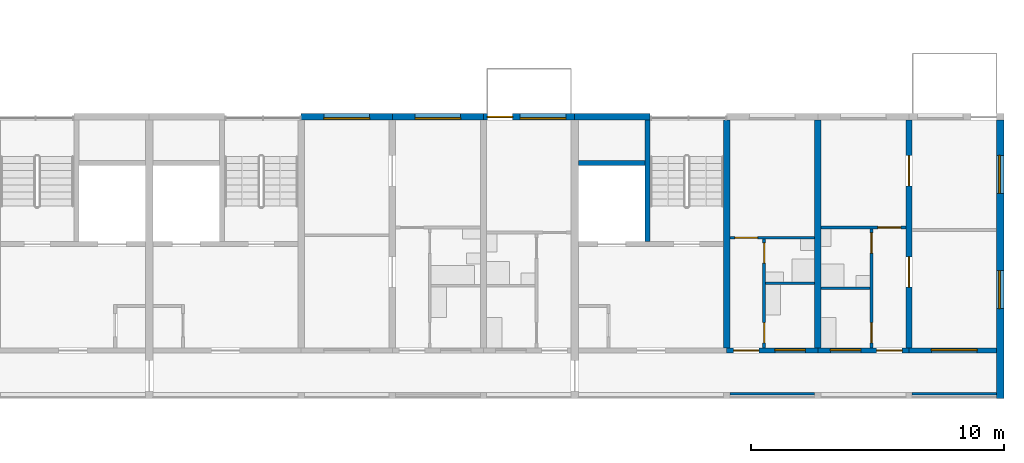
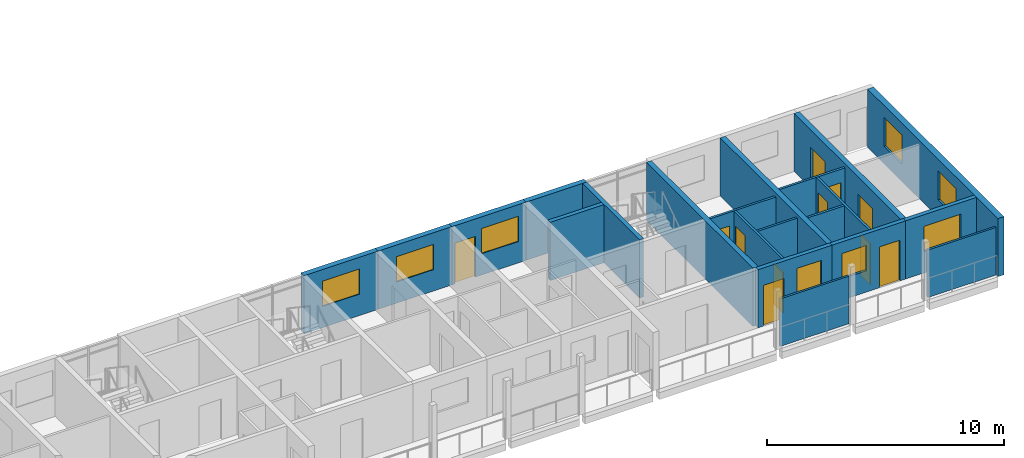
# One storey, part 56 of 100: 21 walls, 11 doors, 8 windows, 19 openings.
"""IFC4 building model written with IfcOpenShell, lengths in metres."""

from ifc_helpers import new_model, si_unit, direction, frame, frame_2d, origin, place, context, subcontext, project, spatial, rectangle, extrude, material, layer, layer_set, type_object, element, fill, save


model = new_model("IFC4")

# Units and contexts
model_context = context("Model", 3, precision=1e-05, world=origin(), true_north=direction((0.0, 1.0)))
body_context = subcontext(model_context, "Body", "Model", "MODEL_VIEW")
ifc_project = project(units=[si_unit("LENGTHUNIT", "METRE"), si_unit("AREAUNIT", "SQUARE_METRE"), si_unit("VOLUMEUNIT", "CUBIC_METRE"), si_unit("PLANEANGLEUNIT", "RADIAN"), si_unit("MASSUNIT", "GRAM", prefix="KILO")], contexts=[model_context])

# Site, building, storey
site_placement = place(None, origin())
site = spatial("IfcSite", under=ifc_project, at=site_placement, CompositionType="ELEMENT")
building_placement = place(site_placement, origin())
building = spatial("IfcBuilding", under=site, at=building_placement, Name="Ridgestep Commons", CompositionType="ELEMENT")
storey_placement = place(building_placement, frame((0.0, 0.0, 9.0)))
storey = spatial("IfcBuildingStorey", under=building, at=storey_placement, Name="L03", CompositionType="ELEMENT", Elevation=9.0)

# Walls
ifc_material_1 = material(Name="Concrete C30/37", Category="concrete")
ifc_layer_1 = layer(ifc_material_1, 0.25)
ifc_layer_set_1 = layer_set([ifc_layer_1], Name="Core cross wall 250")
wall_type_1 = type_object("IfcWallType", Name="Core cross wall 250", PredefinedType="SHEAR", material=ifc_layer_set_1)
wall_1_placement = place(storey_placement, frame((236.800048828125, 13.75, 0.0), z_axis=(0.0, 0.0, 1.0), x_axis=(0.0, 1.0, 0.0)))
element("IfcWall", 1, at=wall_1_placement, inside=storey, type_object=wall_type_1, Name="Cross wall D-03-2368", PredefinedType="SHEAR", context=body_context, shape_type="SweptSolid", body=[
    extrude(rectangle(XDim=9.0, YDim=0.25, at=frame_2d((4.5, 0.0))), origin(), (0.0, 0.0, 1.0), 3.0),
])
ifc_material_2 = material(Name="Concrete C30/37", Category="concrete")
ifc_layer_2 = layer(ifc_material_2, 0.199951171875)
ifc_layer_set_2 = layer_set([ifc_layer_2], Name="Core wall 200")
wall_type_2 = type_object("IfcWallType", Name="Core wall 200", PredefinedType="SHEAR", material=ifc_layer_set_2)
wall_2_placement = place(storey_placement, frame((233.675048828125, 17.949951171875, 0.0), z_axis=(0.0, 0.0, 1.0), x_axis=(0.0, 1.0, 0.0)))
element("IfcWall", 2, at=wall_2_placement, inside=storey, type_object=wall_type_2, Name="Core stair wall D6C L03", PredefinedType="SHEAR", context=body_context, shape_type="SweptSolid", body=[
    extrude(rectangle(XDim=4.800048828125, YDim=0.199951171875, at=frame_2d((2.39990234375, 0.0))), origin(), (0.0, 0.0, 1.0), 3.0),
])
wall_3_placement = place(storey_placement, frame((230.949951171875, 21.050048828125, 0.0), z_axis=(0.0, 0.0, 1.0), x_axis=(1.0, 0.0, 0.0)))
element("IfcWall", 3, at=wall_3_placement, inside=storey, type_object=wall_type_2, Name="Core duct wall D6C L03", PredefinedType="SHEAR", context=body_context, shape_type="SweptSolid", body=[
    extrude(rectangle(XDim=2.625, YDim=0.199951171875, at=frame_2d((1.3125, 0.0))), origin(), (0.0, 0.0, 1.0), 3.0),
])
ifc_material_3 = material(Name="Precast concrete C40/50", Category="concrete")
ifc_layer_3 = layer(ifc_material_3, 0.25)
ifc_layer_set_3 = layer_set([ifc_layer_3], Name="Cross wall 250")
wall_type_3 = type_object("IfcWallType", Name="Cross wall 250", PredefinedType="SHEAR", material=ifc_layer_set_3)
wall_4_placement = place(storey_placement, frame((240.39990234375, 13.75, 0.0), z_axis=(0.0, 0.0, 1.0), x_axis=(0.0, 1.0, 0.0)))
element("IfcWall", 4, at=wall_4_placement, inside=storey, type_object=wall_type_3, Name="Cross wall D-03-2404", PredefinedType="SHEAR", context=body_context, shape_type="SweptSolid", body=[
    extrude(rectangle(XDim=9.0, YDim=0.25, at=frame_2d((4.5, 0.0))), origin(), (0.0, 0.0, 1.0), 3.0),
])

# Wall, openings, doors
wall_5_placement = place(storey_placement, frame((244.0, 13.75, 0.0), z_axis=(0.0, 0.0, 1.0), x_axis=(0.0, 1.0, 0.0)))
wall_5 = element("IfcWall", 5, at=wall_5_placement, inside=storey, type_object=wall_type_3, Name="Cross wall D-03-2440", PredefinedType="SHEAR", context=body_context, shape_type="SweptSolid", body=[
    extrude(rectangle(XDim=9.0, YDim=0.25, at=frame_2d((4.5, 0.0))), origin(), (0.0, 0.0, 1.0), 3.0),
])
opening_1_placement = place(wall_5_placement, frame((2.39990234375, 0.0, 0.0)))
opening_1 = element("IfcOpeningElement", 6, at=opening_1_placement, cuts=wall_5, Name="Opening D6-03a/5", PredefinedType="OPENING", context=body_context, shape_type="SweptSolid", body=[
    extrude(rectangle(XDim=1.199951171875, YDim=2.10009765625, at=frame_2d((0.60009765625, 1.050048828125))), frame((0.0, 0.135009765625, 0.0), z_axis=(0.0, -1.0, 0.0), x_axis=(1.0, 0.0, 0.0)), (0.0, 0.0, 1.0), 0.27001953125),
])
opening_2_placement = place(wall_5_placement, frame((6.39990234375, 0.0, 0.0)))
opening_2 = element("IfcOpeningElement", 7, at=opening_2_placement, cuts=wall_5, Name="Opening D6-03a/6", PredefinedType="OPENING", context=body_context, shape_type="SweptSolid", body=[
    extrude(rectangle(XDim=1.199951171875, YDim=2.10009765625, at=frame_2d((0.60009765625, 1.050048828125))), frame((0.0, 0.135009765625, 0.0), z_axis=(0.0, -1.0, 0.0), x_axis=(1.0, 0.0, 0.0)), (0.0, 0.0, 1.0), 0.27001953125),
])
ifc_material_4 = material(Name="Timber door leaf", Category="wood")
door_type_1 = type_object("IfcDoorType", Name="Double door 1200 x 2100", OperationType="DOUBLE_DOOR_SINGLE_SWING", PredefinedType="DOOR", material=ifc_material_4)
door_1_placement = place(opening_1_placement, origin())
door_1 = element("IfcDoor", 8, at=door_1_placement, inside=storey, type_object=door_type_1, Name="Double door D6-03a/5", OperationType="DOUBLE_DOOR_SINGLE_SWING", OverallHeight=2.10009765625, OverallWidth=1.199951171875, PredefinedType="DOOR", context=body_context, shape_type="SweptSolid", body=[
    extrude(rectangle(XDim=1.199951171875, YDim=2.10009765625, at=frame_2d((0.60009765625, 1.050048828125))), frame((0.0, 0.02490234375, 0.0), z_axis=(0.0, -1.0, 0.0), x_axis=(1.0, 0.0, 0.0)), (0.0, 0.0, 1.0), 0.050048828125),
])
fill(opening_1, door_1)
door_2_placement = place(opening_2_placement, origin())
door_2 = element("IfcDoor", 9, at=door_2_placement, inside=storey, type_object=door_type_1, Name="Double door D6-03a/6", OperationType="DOUBLE_DOOR_SINGLE_SWING", OverallHeight=2.10009765625, OverallWidth=1.199951171875, PredefinedType="DOOR", context=body_context, shape_type="SweptSolid", body=[
    extrude(rectangle(XDim=1.199951171875, YDim=2.10009765625, at=frame_2d((0.60009765625, 1.050048828125))), frame((0.0, 0.02490234375, 0.0), z_axis=(0.0, -1.0, 0.0), x_axis=(1.0, 0.0, 0.0)), (0.0, 0.0, 1.0), 0.050048828125),
])
fill(opening_2, door_2)

# Wall, openings, windows
ifc_material_5 = material(Name="Precast concrete C40/50", Category="concrete")
ifc_layer_4 = layer(ifc_material_5, 0.300048828125)
ifc_layer_set_4 = layer_set([ifc_layer_4], Name="Exposed division wall 300")
wall_type_4 = type_object("IfcWallType", Name="Exposed division wall 300", PredefinedType="SHEAR", material=ifc_layer_set_4)
wall_6_placement = place(storey_placement, frame((247.60009765625, 11.75, 0.0), z_axis=(0.0, 0.0, 1.0), x_axis=(0.0, 1.0, 0.0)))
wall_6 = element("IfcWall", 10, at=wall_6_placement, inside=storey, type_object=wall_type_4, Name="Cross wall D-03-2476", PredefinedType="SHEAR", context=body_context, shape_type="SweptSolid", body=[
    extrude(rectangle(XDim=11.0, YDim=0.300048828125, at=frame_2d((5.5, 0.0))), origin(), (0.0, 0.0, 1.0), 3.0),
])
opening_3_placement = place(wall_6_placement, frame((3.550048828125, 0.0, 0.89990234375)))
opening_3 = element("IfcOpeningElement", 11, at=opening_3_placement, cuts=wall_6, Name="Opening W16", PredefinedType="OPENING", context=body_context, shape_type="SweptSolid", body=[
    extrude(rectangle(XDim=1.5, YDim=1.5, at=frame_2d((0.75, 0.75))), frame((0.0, 0.159912109375, 0.0), z_axis=(0.0, -1.0, 0.0), x_axis=(1.0, 0.0, 0.0)), (0.0, 0.0, 1.0), 0.320068359375),
])
opening_4_placement = place(wall_6_placement, frame((8.10498046875, 0.0, 0.89990234375)))
opening_4 = element("IfcOpeningElement", 12, at=opening_4_placement, cuts=wall_6, Name="Opening W16", PredefinedType="OPENING", context=body_context, shape_type="SweptSolid", body=[
    extrude(rectangle(XDim=1.5, YDim=1.5, at=frame_2d((0.75, 0.75))), frame((0.0, 0.159912109375, 0.0), z_axis=(0.0, -1.0, 0.0), x_axis=(1.0, 0.0, 0.0)), (0.0, 0.0, 1.0), 0.320068359375),
])
ifc_material_6 = material(Name="Aluminium 6063-T6 and glass", Category="aluminium")
window_type_1 = type_object("IfcWindowType", Name="Flat window 1500 x 1500", PartitioningType="DOUBLE_PANEL_VERTICAL", PredefinedType="WINDOW", material=ifc_material_6)
window_1_placement = place(opening_3_placement, origin())
window_1 = element("IfcWindow", 13, at=window_1_placement, inside=storey, type_object=window_type_1, Name="Window D6-03a 5", OverallHeight=1.5, OverallWidth=1.5, PartitioningType="SINGLE_PANEL", PredefinedType="WINDOW", context=body_context, shape_type="SweptSolid", body=[
    extrude(rectangle(XDim=1.5, YDim=1.5, at=frame_2d((0.75, 0.75))), frame((0.0, 0.06005859375, 0.0), z_axis=(0.0, -1.0, 0.0), x_axis=(1.0, 0.0, 0.0)), (0.0, 0.0, 1.0), 0.06005859375),
])
fill(opening_3, window_1)
window_2_placement = place(opening_4_placement, origin())
window_2 = element("IfcWindow", 14, at=window_2_placement, inside=storey, type_object=window_type_1, Name="Window D6-03a 6", OverallHeight=1.5, OverallWidth=1.5, PartitioningType="SINGLE_PANEL", PredefinedType="WINDOW", context=body_context, shape_type="SweptSolid", body=[
    extrude(rectangle(XDim=1.5, YDim=1.5, at=frame_2d((0.75, 0.75))), frame((0.0, 0.06005859375, 0.0), z_axis=(0.0, -1.0, 0.0), x_axis=(1.0, 0.0, 0.0)), (0.0, 0.0, 1.0), 0.06005859375),
])
fill(opening_4, window_2)

# Wall, opening, window
ifc_material_7 = material(Name="Precast concrete C40/50", Category="concrete")
ifc_layer_5 = layer(ifc_material_7, 0.25)
ifc_layer_set_5 = layer_set([ifc_layer_5], Name="North facade panel 250")
wall_type_5 = type_object("IfcWallType", Name="North facade panel 250", PredefinedType="SOLIDWALL", material=ifc_layer_set_5)
wall_7_placement = place(storey_placement, frame((220.0, 22.875, 0.0), z_axis=(0.0, 0.0, 1.0), x_axis=(1.0, 0.0, 0.0)))
wall_7 = element("IfcWall", 15, at=wall_7_placement, inside=storey, type_object=wall_type_5, Name="North panel D5T3 L03", PredefinedType="SOLIDWALL", context=body_context, shape_type="SweptSolid", body=[
    extrude(rectangle(XDim=3.60009765625, YDim=0.25, at=frame_2d((1.800048828125, 0.0))), origin(), (0.0, 0.0, 1.0), 3.0),
])
opening_5_placement = place(wall_7_placement, frame((0.89990234375, 0.0, 1.10009765625)))
opening_5 = element("IfcOpeningElement", 16, at=opening_5_placement, cuts=wall_7, Name="Opening W18", PredefinedType="OPENING", context=body_context, shape_type="SweptSolid", body=[
    extrude(rectangle(XDim=1.800048828125, YDim=1.300048828125, at=frame_2d((0.89990234375, 0.64990234375))), frame((0.0, 0.135009765625, 0.0), z_axis=(0.0, -1.0, 0.0), x_axis=(1.0, 0.0, 0.0)), (0.0, 0.0, 1.0), 0.27001953125),
])
ifc_material_8 = material(Name="Aluminium 6063-T6 and glass", Category="aluminium")
window_type_2 = type_object("IfcWindowType", Name="Flat window 1800 x 1300", PartitioningType="DOUBLE_PANEL_VERTICAL", PredefinedType="WINDOW", material=ifc_material_8)
window_3_placement = place(opening_5_placement, origin())
window_3 = element("IfcWindow", 17, at=window_3_placement, inside=storey, type_object=window_type_2, Name="Window D5-03b 2", OverallHeight=1.300048828125, OverallWidth=1.800048828125, PartitioningType="SINGLE_PANEL", PredefinedType="WINDOW", context=body_context, shape_type="SweptSolid", body=[
    extrude(rectangle(XDim=1.800048828125, YDim=1.300048828125, at=frame_2d((0.89990234375, 0.64990234375))), frame((0.0, -0.02490234375, 0.0), z_axis=(0.0, -1.0, 0.0), x_axis=(1.0, 0.0, 0.0)), (0.0, 0.0, 1.0), 0.06005859375),
])
fill(opening_5, window_3)

wall_8_placement = place(storey_placement, frame((223.60009765625, 22.875, 0.0), z_axis=(0.0, 0.0, 1.0), x_axis=(1.0, 0.0, 0.0)))
wall_8 = element("IfcWall", 18, at=wall_8_placement, inside=storey, type_object=wall_type_5, Name="North panel D5T2 L03", PredefinedType="SOLIDWALL", context=body_context, shape_type="SweptSolid", body=[
    extrude(rectangle(XDim=3.599853515625, YDim=0.25, at=frame_2d((1.7998046875, 0.0))), origin(), (0.0, 0.0, 1.0), 3.0),
])
opening_6_placement = place(wall_8_placement, frame((0.89990234375, 0.0, 1.10009765625)))
opening_6 = element("IfcOpeningElement", 19, at=opening_6_placement, cuts=wall_8, Name="Opening W18", PredefinedType="OPENING", context=body_context, shape_type="SweptSolid", body=[
    extrude(rectangle(XDim=1.800048828125, YDim=1.300048828125, at=frame_2d((0.89990234375, 0.64990234375))), frame((0.0, 0.135009765625, 0.0), z_axis=(0.0, -1.0, 0.0), x_axis=(1.0, 0.0, 0.0)), (0.0, 0.0, 1.0), 0.27001953125),
])
window_4_placement = place(opening_6_placement, origin())
window_4 = element("IfcWindow", 20, at=window_4_placement, inside=storey, type_object=window_type_2, Name="Window D5-03b 4", OverallHeight=1.300048828125, OverallWidth=1.800048828125, PartitioningType="SINGLE_PANEL", PredefinedType="WINDOW", context=body_context, shape_type="SweptSolid", body=[
    extrude(rectangle(XDim=1.800048828125, YDim=1.300048828125, at=frame_2d((0.89990234375, 0.64990234375))), frame((0.0, -0.02490234375, 0.0), z_axis=(0.0, -1.0, 0.0), x_axis=(1.0, 0.0, 0.0)), (0.0, 0.0, 1.0), 0.06005859375),
])
fill(opening_6, window_4)

# Wall, openings, door, window
wall_9_placement = place(storey_placement, frame((227.199951171875, 22.875, 0.0), z_axis=(0.0, 0.0, 1.0), x_axis=(1.0, 0.0, 0.0)))
wall_9 = element("IfcWall", 21, at=wall_9_placement, inside=storey, type_object=wall_type_5, Name="North panel D5T1 L03", PredefinedType="SOLIDWALL", context=body_context, shape_type="SweptSolid", body=[
    extrude(rectangle(XDim=3.60009765625, YDim=0.25, at=frame_2d((1.800048828125, 0.0))), origin(), (0.0, 0.0, 1.0), 3.0),
])
opening_7_placement = place(wall_9_placement, frame((1.449951171875, 0.0, 1.10009765625)))
opening_7 = element("IfcOpeningElement", 22, at=opening_7_placement, cuts=wall_9, Name="Opening W18", PredefinedType="OPENING", context=body_context, shape_type="SweptSolid", body=[
    extrude(rectangle(XDim=1.800048828125, YDim=1.300048828125, at=frame_2d((0.89990234375, 0.64990234375))), frame((0.0, 0.135009765625, 0.0), z_axis=(0.0, -1.0, 0.0), x_axis=(1.0, 0.0, 0.0)), (0.0, 0.0, 1.0), 0.27001953125),
])
opening_8_placement = place(wall_9_placement, frame((0.14990234375, 0.0, 0.0)))
opening_8 = element("IfcOpeningElement", 23, at=opening_8_placement, cuts=wall_9, Name="Opening D5-03a/5", PredefinedType="OPENING", context=body_context, shape_type="SweptSolid", body=[
    extrude(rectangle(XDim=1.0, YDim=2.10009765625, at=frame_2d((0.5, 1.050048828125))), frame((0.0, 0.135009765625, 0.0), z_axis=(0.0, -1.0, 0.0), x_axis=(1.0, 0.0, 0.0)), (0.0, 0.0, 1.0), 0.27001953125),
])
ifc_material_9 = material(Name="Aluminium and glass", Category="aluminium")
door_type_2 = type_object("IfcDoorType", Name="Balcony door 1000 x 2100", OperationType="NOTDEFINED", PredefinedType="DOOR", material=ifc_material_9)
door_3_placement = place(opening_8_placement, origin())
door_3 = element("IfcDoor", 24, at=door_3_placement, inside=storey, type_object=door_type_2, Name="Balcony door D5-03a/5", OperationType="SINGLE_SWING_RIGHT", OverallHeight=2.10009765625, OverallWidth=1.0, PredefinedType="DOOR", context=body_context, shape_type="SweptSolid", body=[
    extrude(rectangle(XDim=1.0, YDim=2.10009765625, at=frame_2d((0.5, 1.050048828125))), frame((0.0, 0.02490234375, 0.0), z_axis=(0.0, -1.0, 0.0), x_axis=(1.0, 0.0, 0.0)), (0.0, 0.0, 1.0), 0.050048828125),
])
fill(opening_8, door_3)
window_5_placement = place(opening_7_placement, origin())
window_5 = element("IfcWindow", 25, at=window_5_placement, inside=storey, type_object=window_type_2, Name="Window D5-03a 2", OverallHeight=1.300048828125, OverallWidth=1.800048828125, PartitioningType="SINGLE_PANEL", PredefinedType="WINDOW", context=body_context, shape_type="SweptSolid", body=[
    extrude(rectangle(XDim=1.800048828125, YDim=1.300048828125, at=frame_2d((0.89990234375, 0.64990234375))), frame((0.0, -0.02490234375, 0.0), z_axis=(0.0, -1.0, 0.0), x_axis=(1.0, 0.0, 0.0)), (0.0, 0.0, 1.0), 0.06005859375),
])
fill(opening_7, window_5)

# Walls
wall_10_placement = place(storey_placement, frame((230.800048828125, 22.875, 0.0), z_axis=(0.0, 0.0, 1.0), x_axis=(1.0, 0.0, 0.0)))
element("IfcWall", 26, at=wall_10_placement, inside=storey, type_object=wall_type_5, Name="North panel D6C L03", PredefinedType="SOLIDWALL", context=body_context, shape_type="SweptSolid", body=[
    extrude(rectangle(XDim=2.974853515625, YDim=0.25, at=frame_2d((1.4873046875, 0.0))), origin(), (0.0, 0.0, 1.0), 3.0),
])
ifc_material_10 = material(Name="Common brick 110 mm", Category="masonry")
ifc_layer_6 = layer(ifc_material_10, 0.110107421875)
ifc_layer_set_6 = layer_set([ifc_layer_6], Name="Partition 110")
wall_type_6 = type_object("IfcWallType", Name="Partition 110", PredefinedType="PARTITIONING", material=ifc_layer_set_6)
wall_11_placement = place(storey_placement, frame((240.52490234375, 16.10498046875, 0.0), z_axis=(0.0, 0.0, 1.0), x_axis=(1.0, 0.0, 0.0)))
element("IfcWall", 27, at=wall_11_placement, inside=storey, type_object=wall_type_6, Name="Partition D6-03a", PredefinedType="PARTITIONING", context=body_context, shape_type="SweptSolid", body=[
    extrude(rectangle(XDim=1.940185546875, YDim=0.110107421875, at=frame_2d((0.97021484375, 0.0))), origin(), (0.0, 0.0, 1.0), 2.800048828125),
])

# Wall, openings, doors
wall_12_placement = place(storey_placement, frame((242.52001953125, 13.75, 0.0), z_axis=(0.0, 0.0, 1.0), x_axis=(0.0, 1.0, 0.0)))
wall_12 = element("IfcWall", 28, at=wall_12_placement, inside=storey, type_object=wall_type_6, Name="Partition D6-03a", PredefinedType="PARTITIONING", context=body_context, shape_type="SweptSolid", body=[
    extrude(rectangle(XDim=4.699951171875, YDim=0.110107421875, at=frame_2d((2.35009765625, 0.0))), origin(), (0.0, 0.0, 1.0), 2.800048828125),
])
opening_9_placement = place(wall_12_placement, frame((0.199951171875, 0.0, 0.0)))
opening_9 = element("IfcOpeningElement", 29, at=opening_9_placement, cuts=wall_12, Name="Opening D6-03a/2", PredefinedType="OPENING", context=body_context, shape_type="SweptSolid", body=[
    extrude(rectangle(XDim=0.800048828125, YDim=2.10009765625, at=frame_2d((0.39990234375, 1.050048828125))), frame((0.0, 0.06494140625, 0.0), z_axis=(0.0, -1.0, 0.0), x_axis=(1.0, 0.0, 0.0)), (0.0, 0.0, 1.0), 0.130126953125),
])
opening_10_placement = place(wall_12_placement, frame((3.75, 0.0, 0.0)))
opening_10 = element("IfcOpeningElement", 30, at=opening_10_placement, cuts=wall_12, Name="Opening D6-03a/3", PredefinedType="OPENING", context=body_context, shape_type="SweptSolid", body=[
    extrude(rectangle(XDim=0.800048828125, YDim=2.10009765625, at=frame_2d((0.39990234375, 1.050048828125))), frame((0.0, 0.06494140625, 0.0), z_axis=(0.0, -1.0, 0.0), x_axis=(1.0, 0.0, 0.0)), (0.0, 0.0, 1.0), 0.130126953125),
])
ifc_material_11 = material(Name="Timber door leaf", Category="wood")
door_type_3 = type_object("IfcDoorType", Name="Internal door 800 x 2100", OperationType="NOTDEFINED", PredefinedType="DOOR", material=ifc_material_11)
door_4_placement = place(opening_9_placement, origin())
door_4 = element("IfcDoor", 31, at=door_4_placement, inside=storey, type_object=door_type_3, Name="Internal door D6-03a/2", OperationType="SINGLE_SWING_LEFT", OverallHeight=2.10009765625, OverallWidth=0.800048828125, PredefinedType="DOOR", context=body_context, shape_type="SweptSolid", body=[
    extrude(rectangle(XDim=0.800048828125, YDim=2.10009765625, at=frame_2d((0.39990234375, 1.050048828125))), frame((0.0, 0.02490234375, 0.0), z_axis=(0.0, -1.0, 0.0), x_axis=(1.0, 0.0, 0.0)), (0.0, 0.0, 1.0), 0.050048828125),
])
fill(opening_9, door_4)
door_5_placement = place(opening_10_placement, origin())
door_5 = element("IfcDoor", 32, at=door_5_placement, inside=storey, type_object=door_type_3, Name="Internal door D6-03a/3", OperationType="SINGLE_SWING_RIGHT", OverallHeight=2.10009765625, OverallWidth=0.800048828125, PredefinedType="DOOR", context=body_context, shape_type="SweptSolid", body=[
    extrude(rectangle(XDim=0.800048828125, YDim=2.10009765625, at=frame_2d((0.39990234375, 1.050048828125))), frame((0.0, 0.02490234375, 0.0), z_axis=(0.0, -1.0, 0.0), x_axis=(1.0, 0.0, 0.0)), (0.0, 0.0, 1.0), 0.050048828125),
])
fill(opening_10, door_5)

# Wall, opening, door
wall_13_placement = place(storey_placement, frame((240.52490234375, 18.5048828125, 0.0), z_axis=(0.0, 0.0, 1.0), x_axis=(1.0, 0.0, 0.0)))
wall_13 = element("IfcWall", 33, at=wall_13_placement, inside=storey, type_object=wall_type_6, Name="Partition D6-03a", PredefinedType="PARTITIONING", context=body_context, shape_type="SweptSolid", body=[
    extrude(rectangle(XDim=3.35009765625, YDim=0.110107421875, at=frame_2d((1.675048828125, 0.0))), origin(), (0.0, 0.0, 1.0), 2.800048828125),
])
opening_11_placement = place(wall_13_placement, frame((2.25, 0.0, 0.0)))
opening_11 = element("IfcOpeningElement", 34, at=opening_11_placement, cuts=wall_13, Name="Opening D6-03a/4", PredefinedType="OPENING", context=body_context, shape_type="SweptSolid", body=[
    extrude(rectangle(XDim=0.89990234375, YDim=2.10009765625, at=frame_2d((0.449951171875, 1.050048828125))), frame((0.0, 0.06494140625, 0.0), z_axis=(0.0, -1.0, 0.0), x_axis=(1.0, 0.0, 0.0)), (0.0, 0.0, 1.0), 0.130126953125),
])
ifc_material_12 = material(Name="Timber door leaf", Category="wood")
door_type_4 = type_object("IfcDoorType", Name="Internal door 900 x 2100", OperationType="NOTDEFINED", PredefinedType="DOOR", material=ifc_material_12)
door_6_placement = place(opening_11_placement, origin())
door_6 = element("IfcDoor", 35, at=door_6_placement, inside=storey, type_object=door_type_4, Name="Internal door D6-03a/4", OperationType="SINGLE_SWING_LEFT", OverallHeight=2.10009765625, OverallWidth=0.89990234375, PredefinedType="DOOR", context=body_context, shape_type="SweptSolid", body=[
    extrude(rectangle(XDim=0.89990234375, YDim=2.10009765625, at=frame_2d((0.449951171875, 1.050048828125))), frame((0.0, 0.02490234375, 0.0), z_axis=(0.0, -1.0, 0.0), x_axis=(1.0, 0.0, 0.0)), (0.0, 0.0, 1.0), 0.050048828125),
])
fill(opening_11, door_6)

# Wall, openings, doors
wall_14_placement = place(storey_placement, frame((238.280029296875, 13.75, 0.0), z_axis=(0.0, 0.0, 1.0), x_axis=(0.0, 1.0, 0.0)))
wall_14 = element("IfcWall", 36, at=wall_14_placement, inside=storey, type_object=wall_type_6, Name="Partition D6-03b", PredefinedType="PARTITIONING", context=body_context, shape_type="SweptSolid", body=[
    extrude(rectangle(XDim=4.300048828125, YDim=0.110107421875, at=frame_2d((2.14990234375, 0.0))), origin(), (0.0, 0.0, 1.0), 2.800048828125),
])
opening_12_placement = place(wall_14_placement, frame((0.199951171875, 0.0, 0.0)))
opening_12 = element("IfcOpeningElement", 37, at=opening_12_placement, cuts=wall_14, Name="Opening D6-03b/2", PredefinedType="OPENING", context=body_context, shape_type="SweptSolid", body=[
    extrude(rectangle(XDim=0.800048828125, YDim=2.10009765625, at=frame_2d((0.39990234375, 1.050048828125))), frame((0.0, 0.06494140625, 0.0), z_axis=(0.0, -1.0, 0.0), x_axis=(1.0, 0.0, 0.0)), (0.0, 0.0, 1.0), 0.130126953125),
])
opening_13_placement = place(wall_14_placement, frame((3.35009765625, 0.0, 0.0)))
opening_13 = element("IfcOpeningElement", 38, at=opening_13_placement, cuts=wall_14, Name="Opening D6-03b/3", PredefinedType="OPENING", context=body_context, shape_type="SweptSolid", body=[
    extrude(rectangle(XDim=0.800048828125, YDim=2.10009765625, at=frame_2d((0.39990234375, 1.050048828125))), frame((0.0, 0.06494140625, 0.0), z_axis=(0.0, -1.0, 0.0), x_axis=(1.0, 0.0, 0.0)), (0.0, 0.0, 1.0), 0.130126953125),
])
door_7_placement = place(opening_12_placement, origin())
door_7 = element("IfcDoor", 39, at=door_7_placement, inside=storey, type_object=door_type_3, Name="Internal door D6-03b/2", OperationType="SINGLE_SWING_RIGHT", OverallHeight=2.10009765625, OverallWidth=0.800048828125, PredefinedType="DOOR", context=body_context, shape_type="SweptSolid", body=[
    extrude(rectangle(XDim=0.800048828125, YDim=2.10009765625, at=frame_2d((0.39990234375, 1.050048828125))), frame((0.0, 0.02490234375, 0.0), z_axis=(0.0, -1.0, 0.0), x_axis=(1.0, 0.0, 0.0)), (0.0, 0.0, 1.0), 0.050048828125),
])
fill(opening_12, door_7)
door_8_placement = place(opening_13_placement, origin())
door_8 = element("IfcDoor", 40, at=door_8_placement, inside=storey, type_object=door_type_3, Name="Internal door D6-03b/3", OperationType="SINGLE_SWING_LEFT", OverallHeight=2.10009765625, OverallWidth=0.800048828125, PredefinedType="DOOR", context=body_context, shape_type="SweptSolid", body=[
    extrude(rectangle(XDim=0.800048828125, YDim=2.10009765625, at=frame_2d((0.39990234375, 1.050048828125))), frame((0.0, 0.02490234375, 0.0), z_axis=(0.0, -1.0, 0.0), x_axis=(1.0, 0.0, 0.0)), (0.0, 0.0, 1.0), 0.050048828125),
])
fill(opening_13, door_8)

# Wall
wall_15_placement = place(storey_placement, frame((238.3349609375, 16.304931640625, 0.0), z_axis=(0.0, 0.0, 1.0), x_axis=(1.0, 0.0, 0.0)))
element("IfcWall", 41, at=wall_15_placement, inside=storey, type_object=wall_type_6, Name="Partition D6-03b", PredefinedType="PARTITIONING", context=body_context, shape_type="SweptSolid", body=[
    extrude(rectangle(XDim=1.93994140625, YDim=0.110107421875, at=frame_2d((0.969970703125, 0.0))), origin(), (0.0, 0.0, 1.0), 2.800048828125),
])

# Wall, opening, door
wall_16_placement = place(storey_placement, frame((236.925048828125, 18.10498046875, 0.0), z_axis=(0.0, 0.0, 1.0), x_axis=(1.0, 0.0, 0.0)))
wall_16 = element("IfcWall", 42, at=wall_16_placement, inside=storey, type_object=wall_type_6, Name="Partition D6-03b", PredefinedType="PARTITIONING", context=body_context, shape_type="SweptSolid", body=[
    extrude(rectangle(XDim=3.349853515625, YDim=0.110107421875, at=frame_2d((1.6748046875, 0.0))), origin(), (0.0, 0.0, 1.0), 2.800048828125),
])
opening_14_placement = place(wall_16_placement, frame((0.199951171875, 0.0, 0.0)))
opening_14 = element("IfcOpeningElement", 43, at=opening_14_placement, cuts=wall_16, Name="Opening D6-03b/4", PredefinedType="OPENING", context=body_context, shape_type="SweptSolid", body=[
    extrude(rectangle(XDim=0.89990234375, YDim=2.10009765625, at=frame_2d((0.449951171875, 1.050048828125))), frame((0.0, 0.06494140625, 0.0), z_axis=(0.0, -1.0, 0.0), x_axis=(1.0, 0.0, 0.0)), (0.0, 0.0, 1.0), 0.130126953125),
])
door_9_placement = place(opening_14_placement, origin())
door_9 = element("IfcDoor", 44, at=door_9_placement, inside=storey, type_object=door_type_4, Name="Internal door D6-03b/4", OperationType="SINGLE_SWING_LEFT", OverallHeight=2.10009765625, OverallWidth=0.89990234375, PredefinedType="DOOR", context=body_context, shape_type="SweptSolid", body=[
    extrude(rectangle(XDim=0.89990234375, YDim=2.10009765625, at=frame_2d((0.449951171875, 1.050048828125))), frame((0.0, 0.02490234375, 0.0), z_axis=(0.0, -1.0, 0.0), x_axis=(1.0, 0.0, 0.0)), (0.0, 0.0, 1.0), 0.050048828125),
])
fill(opening_14, door_9)

# Walls
ifc_material_13 = material(Name="Precast concrete C30/37", Category="concrete")
ifc_layer_7 = layer(ifc_material_13, 0.10009765625)
ifc_layer_set_7 = layer_set([ifc_layer_7], Name="Perforated gallery screen 3325 x 2450 x 100")
wall_type_7 = type_object("IfcWallType", Name="Perforated gallery screen 3325 x 2450 x 100", PredefinedType="SOLIDWALL", material=ifc_layer_set_7)
wall_17_placement = place(storey_placement, frame((244.125, 11.949951171875, 0.0), z_axis=(0.0, 0.0, 1.0), x_axis=(1.0, 0.0, 0.0)))
element("IfcWall", 45, at=wall_17_placement, inside=storey, type_object=wall_type_7, Name="Gallery screen D6T1 03", PredefinedType="SOLIDWALL", context=body_context, shape_type="SweptSolid", body=[
    extrude(rectangle(XDim=3.324951171875, YDim=0.10009765625, at=frame_2d((1.66259765625, 0.0))), origin(), (0.0, 0.0, 1.0), 2.449951171875),
])
ifc_material_14 = material(Name="Precast concrete C30/37", Category="concrete")
ifc_layer_8 = layer(ifc_material_14, 0.10009765625)
ifc_layer_set_8 = layer_set([ifc_layer_8], Name="Perforated gallery screen 3350 x 2450 x 100")
wall_type_8 = type_object("IfcWallType", Name="Perforated gallery screen 3350 x 2450 x 100", PredefinedType="SOLIDWALL", material=ifc_layer_set_8)
wall_18_placement = place(storey_placement, frame((236.925048828125, 11.949951171875, 0.0), z_axis=(0.0, 0.0, 1.0), x_axis=(1.0, 0.0, 0.0)))
element("IfcWall", 46, at=wall_18_placement, inside=storey, type_object=wall_type_8, Name="Gallery screen D6T3 03", PredefinedType="SOLIDWALL", context=body_context, shape_type="SweptSolid", body=[
    extrude(rectangle(XDim=3.349853515625, YDim=0.10009765625, at=frame_2d((1.6748046875, 0.0))), origin(), (0.0, 0.0, 1.0), 2.449951171875),
])

# Wall, openings, door, window
ifc_material_15 = material(Name="Precast concrete C40/50", Category="concrete")
ifc_layer_9 = layer(ifc_material_15, 0.199951171875)
ifc_layer_set_9 = layer_set([ifc_layer_9], Name="South facade panel 200")
wall_type_9 = type_object("IfcWallType", Name="South facade panel 200", PredefinedType="SOLIDWALL", material=ifc_layer_set_9)
wall_19_placement = place(storey_placement, frame((236.800048828125, 13.64990234375, 0.0), z_axis=(0.0, 0.0, 1.0), x_axis=(1.0, 0.0, 0.0)))
wall_19 = element("IfcWall", 47, at=wall_19_placement, inside=storey, type_object=wall_type_9, Name="South panel D6T3 L03", PredefinedType="SOLIDWALL", context=body_context, shape_type="SweptSolid", body=[
    extrude(rectangle(XDim=3.599853515625, YDim=0.199951171875, at=frame_2d((1.7998046875, 0.0))), origin(), (0.0, 0.0, 1.0), 3.0),
])
opening_15_placement = place(wall_19_placement, frame((1.905029296875, 0.0, 1.10009765625)))
opening_15 = element("IfcOpeningElement", 48, at=opening_15_placement, cuts=wall_19, Name="Opening W08", PredefinedType="OPENING", context=body_context, shape_type="SweptSolid", body=[
    extrude(rectangle(XDim=1.199951171875, YDim=1.300048828125, at=frame_2d((0.60009765625, 0.64990234375))), frame((0.0, 0.10986328125, 0.0), z_axis=(0.0, -1.0, 0.0), x_axis=(1.0, 0.0, 0.0)), (0.0, 0.0, 1.0), 0.219970703125),
])
opening_16_placement = place(wall_19_placement, frame((0.27490234375, 0.0, 0.0)))
opening_16 = element("IfcOpeningElement", 49, at=opening_16_placement, cuts=wall_19, Name="Opening D6-03b/1", PredefinedType="OPENING", context=body_context, shape_type="SweptSolid", body=[
    extrude(rectangle(XDim=1.0, YDim=2.10009765625, at=frame_2d((0.5, 1.050048828125))), frame((0.0, 0.10986328125, 0.0), z_axis=(0.0, -1.0, 0.0), x_axis=(1.0, 0.0, 0.0)), (0.0, 0.0, 1.0), 0.219970703125),
])
ifc_material_16 = material(Name="Timber door leaf", Category="wood")
door_type_5 = type_object("IfcDoorType", Name="Flat entrance door 1000 x 2100 FD30S", OperationType="NOTDEFINED", PredefinedType="DOOR", material=ifc_material_16)
door_10_placement = place(opening_16_placement, origin())
door_10 = element("IfcDoor", 50, at=door_10_placement, inside=storey, type_object=door_type_5, Name="Flat entrance door D6-03b/1", OperationType="SINGLE_SWING_LEFT", OverallHeight=2.10009765625, OverallWidth=1.0, PredefinedType="DOOR", context=body_context, shape_type="SweptSolid", body=[
    extrude(rectangle(XDim=1.0, YDim=2.10009765625, at=frame_2d((0.5, 1.050048828125))), frame((0.0, 0.02490234375, 0.0), z_axis=(0.0, -1.0, 0.0), x_axis=(1.0, 0.0, 0.0)), (0.0, 0.0, 1.0), 0.050048828125),
])
fill(opening_16, door_10)
ifc_material_17 = material(Name="Aluminium 6063-T6 and glass", Category="aluminium")
window_type_3 = type_object("IfcWindowType", Name="Flat window 1200 x 1300", PartitioningType="SINGLE_PANEL", PredefinedType="WINDOW", material=ifc_material_17)
window_6_placement = place(opening_15_placement, origin())
window_6 = element("IfcWindow", 51, at=window_6_placement, inside=storey, type_object=window_type_3, Name="Window D6-03b 1", OverallHeight=1.300048828125, OverallWidth=1.199951171875, PartitioningType="SINGLE_PANEL", PredefinedType="WINDOW", context=body_context, shape_type="SweptSolid", body=[
    extrude(rectangle(XDim=1.199951171875, YDim=1.300048828125, at=frame_2d((0.60009765625, 0.64990234375))), frame((0.0, 0.06005859375, 0.0), z_axis=(0.0, -1.0, 0.0), x_axis=(1.0, 0.0, 0.0)), (0.0, 0.0, 1.0), 0.06005859375),
])
fill(opening_15, window_6)

wall_20_placement = place(storey_placement, frame((240.39990234375, 13.64990234375, 0.0), z_axis=(0.0, 0.0, 1.0), x_axis=(1.0, 0.0, 0.0)))
wall_20 = element("IfcWall", 52, at=wall_20_placement, inside=storey, type_object=wall_type_9, Name="South panel D6T2 L03", PredefinedType="SOLIDWALL", context=body_context, shape_type="SweptSolid", body=[
    extrude(rectangle(XDim=3.60009765625, YDim=0.199951171875, at=frame_2d((1.800048828125, 0.0))), origin(), (0.0, 0.0, 1.0), 3.0),
])
opening_17_placement = place(wall_20_placement, frame((0.4951171875, 0.0, 1.10009765625)))
opening_17 = element("IfcOpeningElement", 53, at=opening_17_placement, cuts=wall_20, Name="Opening W08", PredefinedType="OPENING", context=body_context, shape_type="SweptSolid", body=[
    extrude(rectangle(XDim=1.199951171875, YDim=1.300048828125, at=frame_2d((0.60009765625, 0.64990234375))), frame((0.0, 0.10986328125, 0.0), z_axis=(0.0, -1.0, 0.0), x_axis=(1.0, 0.0, 0.0)), (0.0, 0.0, 1.0), 0.219970703125),
])
opening_18_placement = place(wall_20_placement, frame((2.324951171875, 0.0, 0.0)))
opening_18 = element("IfcOpeningElement", 54, at=opening_18_placement, cuts=wall_20, Name="Opening D6-03a/1", PredefinedType="OPENING", context=body_context, shape_type="SweptSolid", body=[
    extrude(rectangle(XDim=1.0, YDim=2.10009765625, at=frame_2d((0.5, 1.050048828125))), frame((0.0, 0.10986328125, 0.0), z_axis=(0.0, -1.0, 0.0), x_axis=(1.0, 0.0, 0.0)), (0.0, 0.0, 1.0), 0.219970703125),
])
door_11_placement = place(opening_18_placement, origin())
door_11 = element("IfcDoor", 55, at=door_11_placement, inside=storey, type_object=door_type_5, Name="Flat entrance door D6-03a/1", OperationType="SINGLE_SWING_RIGHT", OverallHeight=2.10009765625, OverallWidth=1.0, PredefinedType="DOOR", context=body_context, shape_type="SweptSolid", body=[
    extrude(rectangle(XDim=1.0, YDim=2.10009765625, at=frame_2d((0.5, 1.050048828125))), frame((0.0, 0.02490234375, 0.0), z_axis=(0.0, -1.0, 0.0), x_axis=(1.0, 0.0, 0.0)), (0.0, 0.0, 1.0), 0.050048828125),
])
fill(opening_18, door_11)
window_7_placement = place(opening_17_placement, origin())
window_7 = element("IfcWindow", 56, at=window_7_placement, inside=storey, type_object=window_type_3, Name="Window D6-03a 3", OverallHeight=1.300048828125, OverallWidth=1.199951171875, PartitioningType="SINGLE_PANEL", PredefinedType="WINDOW", context=body_context, shape_type="SweptSolid", body=[
    extrude(rectangle(XDim=1.199951171875, YDim=1.300048828125, at=frame_2d((0.60009765625, 0.64990234375))), frame((0.0, 0.06005859375, 0.0), z_axis=(0.0, -1.0, 0.0), x_axis=(1.0, 0.0, 0.0)), (0.0, 0.0, 1.0), 0.06005859375),
])
fill(opening_17, window_7)

# Wall, opening, window
wall_21_placement = place(storey_placement, frame((244.0, 13.64990234375, 0.0), z_axis=(0.0, 0.0, 1.0), x_axis=(1.0, 0.0, 0.0)))
wall_21 = element("IfcWall", 57, at=wall_21_placement, inside=storey, type_object=wall_type_9, Name="South panel D6T1 L03", PredefinedType="SOLIDWALL", context=body_context, shape_type="SweptSolid", body=[
    extrude(rectangle(XDim=3.449951171875, YDim=0.199951171875, at=frame_2d((1.72509765625, 0.0))), origin(), (0.0, 0.0, 1.0), 3.0),
])
opening_19_placement = place(wall_21_placement, frame((0.887451171875, 0.0, 1.10009765625)))
opening_19 = element("IfcOpeningElement", 58, at=opening_19_placement, cuts=wall_21, Name="Opening W18", PredefinedType="OPENING", context=body_context, shape_type="SweptSolid", body=[
    extrude(rectangle(XDim=1.800048828125, YDim=1.300048828125, at=frame_2d((0.89990234375, 0.64990234375))), frame((0.0, 0.10986328125, 0.0), z_axis=(0.0, -1.0, 0.0), x_axis=(1.0, 0.0, 0.0)), (0.0, 0.0, 1.0), 0.219970703125),
])
window_8_placement = place(opening_19_placement, origin())
window_8 = element("IfcWindow", 59, at=window_8_placement, inside=storey, type_object=window_type_2, Name="Window D6-03a 1", OverallHeight=1.300048828125, OverallWidth=1.800048828125, PartitioningType="SINGLE_PANEL", PredefinedType="WINDOW", context=body_context, shape_type="SweptSolid", body=[
    extrude(rectangle(XDim=1.800048828125, YDim=1.300048828125, at=frame_2d((0.89990234375, 0.64990234375))), frame((0.0, 0.06005859375, 0.0), z_axis=(0.0, -1.0, 0.0), x_axis=(1.0, 0.0, 0.0)), (0.0, 0.0, 1.0), 0.06005859375),
])
fill(opening_19, window_8)

save(model, "model.ifc")
